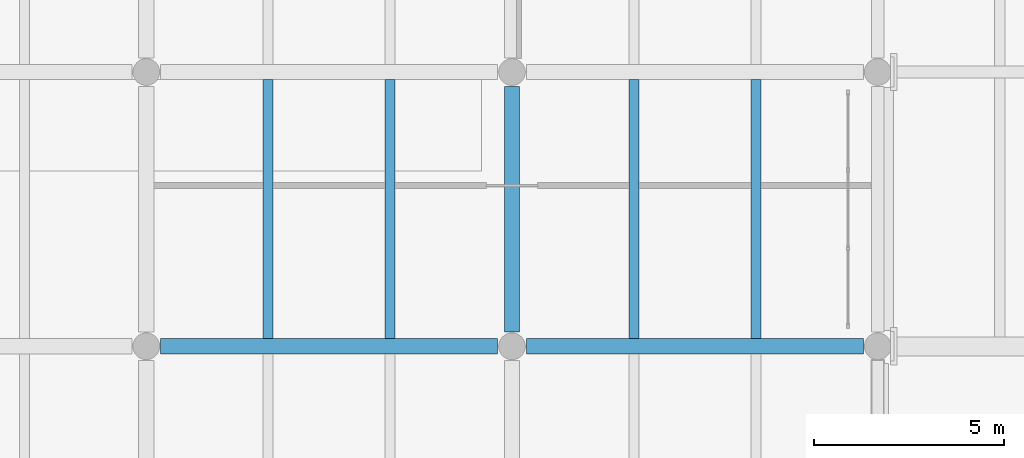
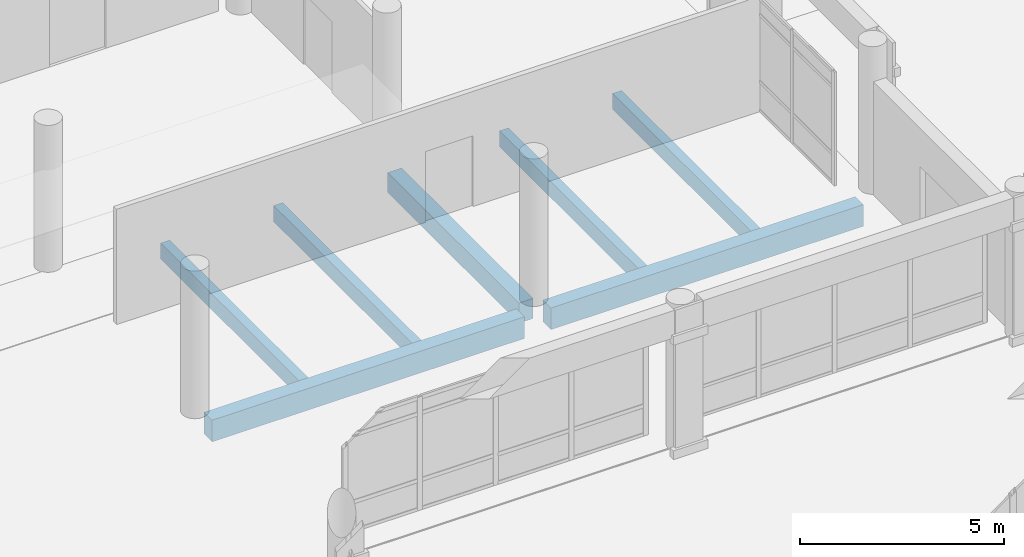
# One storey, part 59 of 196: 7 beams.
"""IFC4 building model written with IfcOpenShell, lengths in metres."""

from ifc_helpers import new_model, si_unit, direction, frame, origin, origin_2d, place, context, subcontext, project, spatial, rectangle, extrude, material, material_profile, profile_set, type_object, element, save


model = new_model("IFC4")

# Units and contexts
model_context = context("Model", 3, precision=1e-05, world=origin(), true_north=direction((0.0, 1.0)))
body_context = subcontext(model_context, "Body", "Model", "MODEL_VIEW")
ifc_project = project(units=[si_unit("LENGTHUNIT", "METRE"), si_unit("AREAUNIT", "SQUARE_METRE"), si_unit("VOLUMEUNIT", "CUBIC_METRE"), si_unit("PLANEANGLEUNIT", "RADIAN"), si_unit("MASSUNIT", "GRAM", prefix="KILO")], contexts=[model_context])

# Site, building, storey
site_placement = place(None, origin())
site = spatial("IfcSite", under=ifc_project, at=site_placement, CompositionType="ELEMENT")
building_placement = place(site_placement, origin())
building = spatial("IfcBuilding", under=site, at=building_placement, Name="Asteropetra Specialist Clinic", CompositionType="ELEMENT")
storey_placement = place(building_placement, origin())
storey = spatial("IfcBuildingStorey", under=building, at=storey_placement, Name="L00", CompositionType="ELEMENT", Elevation=0.0)

# Beams
ifc_material_1 = material(Name="Concrete C35/45", Category="concrete")
ifc_material_profile_1 = material_profile(ifc_material_1, rectangle(XDim=0.39990234375, YDim=0.60009765625, at=origin_2d()), Name="RCB 400x600")
ifc_profile_set_1 = profile_set([ifc_material_profile_1], Name="Concrete C35/45")
beam_type_1 = type_object("IfcBeamType", Name="BM-RC400x600", PredefinedType="BEAM", material=ifc_profile_set_1)
beam_1_placement = place(storey_placement, frame((38.39990234375, 41.175048828125, -0.60009765625), z_axis=(0.0, 1.0, 0.0), x_axis=(-1.0, 0.0, 0.0)))
element("IfcBeam", 1, at=beam_1_placement, inside=storey, type_object=beam_type_1, Name="Beam BBM08-0176", PredefinedType="BEAM", context=body_context, shape_type="SweptSolid", body=[
    extrude(rectangle(XDim=0.39990234375, YDim=0.60009765625, at=origin_2d()), origin(), (0.0, 0.0, 1.0), 6.449951171875),
])
ifc_material_2 = material(Name="Concrete C35/45", Category="concrete")
ifc_material_profile_2 = material_profile(ifc_material_2, rectangle(XDim=0.39990234375, YDim=0.64990234375, at=origin_2d()), Name="RCB 400x650")
ifc_profile_set_2 = profile_set([ifc_material_profile_2], Name="Concrete C35/45")
beam_type_2 = type_object("IfcBeamType", Name="BM-RC400x650", PredefinedType="BEAM", material=ifc_profile_set_2)
beam_2_placement = place(storey_placement, frame((29.175048828125, 40.800048828125, -0.625), z_axis=(1.0, 0.0, 0.0), x_axis=(0.0, 1.0, 0.0)))
element("IfcBeam", 2, at=beam_2_placement, inside=storey, type_object=beam_type_2, Name="Beam BBM07-0141", PredefinedType="BEAM", context=body_context, shape_type="SweptSolid", body=[
    extrude(rectangle(XDim=0.39990234375, YDim=0.64990234375, at=origin_2d()), origin(), (0.0, 0.0, 1.0), 8.849853515625),
])
beam_3_placement = place(storey_placement, frame((38.77490234375, 40.800048828125, -0.625), z_axis=(1.0, 0.0, 0.0), x_axis=(0.0, 1.0, 0.0)))
element("IfcBeam", 3, at=beam_3_placement, inside=storey, type_object=beam_type_2, Name="Beam BBM07-0142", PredefinedType="BEAM", context=body_context, shape_type="SweptSolid", body=[
    extrude(rectangle(XDim=0.39990234375, YDim=0.64990234375, at=origin_2d()), origin(), (0.0, 0.0, 1.0), 8.85009765625),
])
ifc_material_3 = material(Name="Concrete C35/45", Category="concrete")
ifc_material_profile_3 = material_profile(ifc_material_3, rectangle(XDim=0.260009765625, YDim=0.47998046875, at=origin_2d()), Name="RCJ 260x480")
ifc_profile_set_3 = profile_set([ifc_material_profile_3], Name="Concrete C35/45")
beam_type_3 = type_object("IfcBeamType", Name="JST-RC260x480", PredefinedType="JOIST", material=ifc_profile_set_3)
for number, where, z_axis, x_axis, name in (
    (4, (32.0, 41.0, -0.5400390625), (0.0, 1.0, 0.0), (-1.0, 0.0, 0.0), "Joist JJST02-0183"),
    (5, (35.199951171875, 41.0, -0.5400390625), (0.0, 1.0, 0.0), (-1.0, 0.0, 0.0), "Joist JJST02-0184"),
    (6, (41.60009765625, 41.0, -0.5400390625), (0.0, 1.0, 0.0), (-1.0, 0.0, 0.0), "Joist JJST02-0185"),
    (7, (44.800048828125, 41.0, -0.5400390625), (0.0, 1.0, 0.0), (-1.0, 0.0, 0.0), "Joist JJST02-0186"),
):
    element("IfcBeam", number, at=place(storey_placement, frame(where, z_axis=z_axis, x_axis=x_axis)), inside=storey, type_object=beam_type_3, Name=name, PredefinedType="JOIST", context=body_context, shape_type="SweptSolid", body=[
        extrude(rectangle(XDim=0.260009765625, YDim=0.47998046875, at=origin_2d()), origin(), (0.0, 0.0, 1.0), 6.800048828125),
    ])

save(model, "model.ifc")
